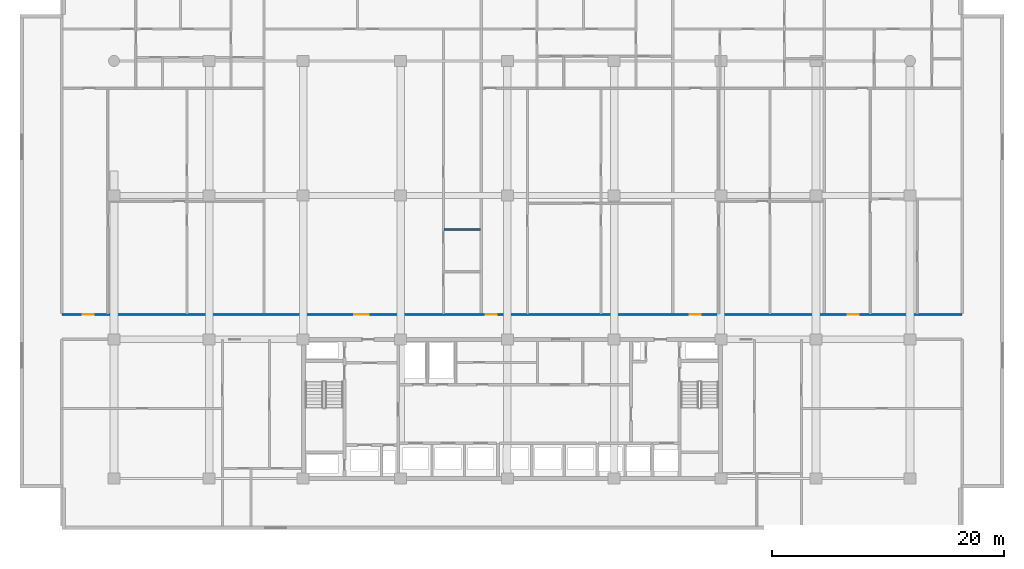
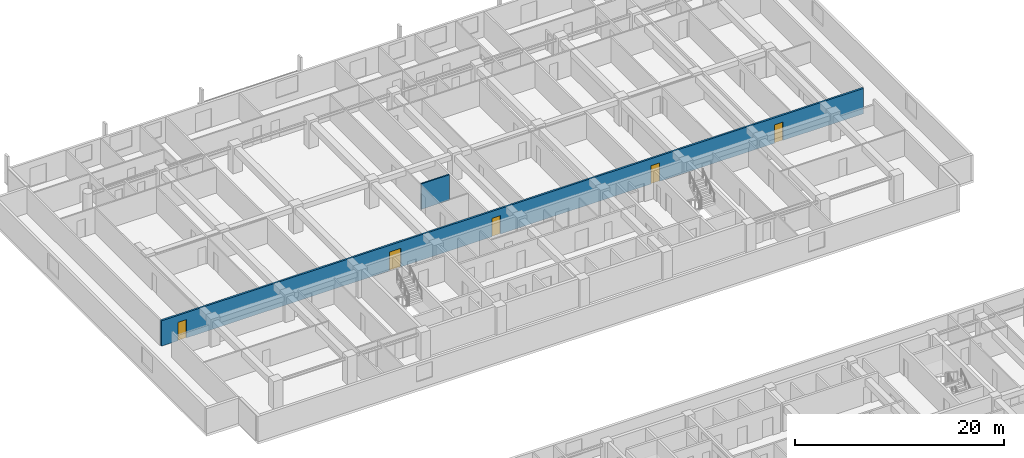
# One storey, part 13 of 23: 5 doors, 2 walls, 5 openings.
"""IFC4 building model written with IfcOpenShell, lengths in metres."""

from ifc_helpers import new_model, si_unit, direction, frame, frame_2d, origin, place, context, subcontext, project, spatial, rectangle, extrude, material, layer, layer_set, type_object, element, fill, save


model = new_model("IFC4")

# Units and contexts
model_context = context("Model", 3, precision=1e-05, world=origin(), true_north=direction((0.0, 1.0)))
body_context = subcontext(model_context, "Body", "Model", "MODEL_VIEW")
ifc_project = project(units=[si_unit("LENGTHUNIT", "METRE"), si_unit("AREAUNIT", "SQUARE_METRE"), si_unit("VOLUMEUNIT", "CUBIC_METRE"), si_unit("PLANEANGLEUNIT", "RADIAN"), si_unit("MASSUNIT", "GRAM", prefix="KILO")], contexts=[model_context])

# Site, building, storey
site_placement = place(None, origin())
site = spatial("IfcSite", under=ifc_project, at=site_placement, CompositionType="ELEMENT")
building_placement = place(site_placement, origin())
building = spatial("IfcBuilding", under=site, at=building_placement, Name="Korimba Cascade Residences", CompositionType="ELEMENT")
storey_placement = place(building_placement, frame((0.0, 0.0, 72.75)))
storey = spatial("IfcBuildingStorey", under=building, at=storey_placement, Name="L20", CompositionType="ELEMENT", Elevation=72.75)

# Wall, openings, doors
ifc_material_1 = material(Name="Precast concrete C40/50", Category="concrete")
ifc_layer_1 = layer(ifc_material_1, 0.199951171875)
ifc_layer_set_1 = layer_set([ifc_layer_1], Name="Precast concrete C40/50")
wall_type_1 = type_object("IfcWallType", Name="WAL-IT-200", PredefinedType="PARTITIONING", material=ifc_layer_set_1)
wall_1_placement = place(storey_placement, frame((55.300048828125, 69.35009765625, 0.0), z_axis=(0.0, 0.0, 1.0), x_axis=(1.0, 0.0, 0.0)))
wall_1 = element("IfcWall", 1, at=wall_1_placement, inside=storey, type_object=wall_type_1, Name="L20 Partition Wall WAL-L20-T1-CORN", PredefinedType="PARTITIONING", context=body_context, shape_type="SweptSolid", body=[
    extrude(rectangle(XDim=77.599853515625, YDim=0.199951171875, at=frame_2d((38.7998046875, 0.0))), origin(), (0.0, 0.0, 1.0), 2.969970703125),
])
opening_1_placement = place(wall_1_placement, frame((1.81005859375, 0.0, 0.0)))
opening_1 = element("IfcOpeningElement", 2, at=opening_1_placement, cuts=wall_1, Name="Opening D-UN1", PredefinedType="OPENING", context=body_context, shape_type="SweptSolid", body=[
    extrude(rectangle(XDim=0.949951171875, YDim=2.14990234375, at=frame_2d((0.47509765625, 1.074951171875))), frame((0.0, 0.10986328125, 0.0), z_axis=(0.0, -1.0, 0.0), x_axis=(1.0, 0.0, 0.0)), (0.0, 0.0, 1.0), 0.219970703125),
])
opening_2_placement = place(wall_1_placement, frame((25.222412109375, 0.0, 0.0)))
opening_2 = element("IfcOpeningElement", 3, at=opening_2_placement, cuts=wall_1, Name="Opening D-AM1", PredefinedType="OPENING", context=body_context, shape_type="SweptSolid", body=[
    extrude(rectangle(XDim=1.219970703125, YDim=2.179931640625, at=frame_2d((0.60986328125, 1.08984375))), frame((0.0, 0.10986328125, 0.0), z_axis=(0.0, -1.0, 0.0), x_axis=(1.0, 0.0, 0.0)), (0.0, 0.0, 1.0), 0.219970703125),
])
opening_3_placement = place(wall_1_placement, frame((36.531005859375, 0.0, 0.0)))
opening_3 = element("IfcOpeningElement", 4, at=opening_3_placement, cuts=wall_1, Name="Opening D-UN1", PredefinedType="OPENING", context=body_context, shape_type="SweptSolid", body=[
    extrude(rectangle(XDim=0.949951171875, YDim=2.14990234375, at=frame_2d((0.47509765625, 1.074951171875))), frame((0.0, 0.10986328125, 0.0), z_axis=(0.0, -1.0, 0.0), x_axis=(1.0, 0.0, 0.0)), (0.0, 0.0, 1.0), 0.219970703125),
])
opening_4_placement = place(wall_1_placement, frame((54.122802734375, 0.0, 0.0)))
opening_4 = element("IfcOpeningElement", 5, at=opening_4_placement, cuts=wall_1, Name="Opening D-UN1", PredefinedType="OPENING", context=body_context, shape_type="SweptSolid", body=[
    extrude(rectangle(XDim=0.949951171875, YDim=2.14990234375, at=frame_2d((0.47509765625, 1.074951171875))), frame((0.0, 0.10986328125, 0.0), z_axis=(0.0, -1.0, 0.0), x_axis=(1.0, 0.0, 0.0)), (0.0, 0.0, 1.0), 0.219970703125),
])
opening_5_placement = place(wall_1_placement, frame((67.742431640625, 0.0, 0.0)))
opening_5 = element("IfcOpeningElement", 6, at=opening_5_placement, cuts=wall_1, Name="Opening D-UN1", PredefinedType="OPENING", context=body_context, shape_type="SweptSolid", body=[
    extrude(rectangle(XDim=0.949951171875, YDim=2.14990234375, at=frame_2d((0.47509765625, 1.074951171875))), frame((0.0, 0.10986328125, 0.0), z_axis=(0.0, -1.0, 0.0), x_axis=(1.0, 0.0, 0.0)), (0.0, 0.0, 1.0), 0.219970703125),
])
ifc_material_2 = material(Name="Fire-Rated Glazed Timber Suite Door", Category="wood")
door_type_1 = type_object("IfcDoorType", Name="DR-FD60-1200", OperationType="NOTDEFINED", PredefinedType="DOOR", material=ifc_material_2)
door_1_placement = place(opening_2_placement, origin())
door_1 = element("IfcDoor", 7, at=door_1_placement, inside=storey, type_object=door_type_1, Name="L20-T1-U02 Transfer Reception Foyer Door", OperationType="SINGLE_SWING_RIGHT", OverallHeight=2.179931640625, OverallWidth=1.219970703125, PredefinedType="DOOR", context=body_context, shape_type="SweptSolid", body=[
    extrude(rectangle(XDim=1.219970703125, YDim=2.179931640625, at=frame_2d((0.60986328125, 1.08984375))), frame((0.0, 0.02490234375, 0.0), z_axis=(0.0, -1.0, 0.0), x_axis=(1.0, 0.0, 0.0)), (0.0, 0.0, 1.0), 0.050048828125),
])
fill(opening_2, door_1)
ifc_material_3 = material(Name="Fire-Rated Hardwood Apartment Entrance Door", Category="wood")
door_type_2 = type_object("IfcDoorType", Name="DR-FD60-950", OperationType="NOTDEFINED", PredefinedType="DOOR", material=ifc_material_3)
door_2_placement = place(opening_1_placement, origin())
door_2 = element("IfcDoor", 8, at=door_2_placement, inside=storey, type_object=door_type_2, Name="Unit L20-T1-U01 Entrance Door", OperationType="SINGLE_SWING_LEFT", OverallHeight=2.14990234375, OverallWidth=0.949951171875, PredefinedType="DOOR", context=body_context, shape_type="SweptSolid", body=[
    extrude(rectangle(XDim=0.949951171875, YDim=2.14990234375, at=frame_2d((0.47509765625, 1.074951171875))), frame((0.0, 0.02490234375, 0.0), z_axis=(0.0, -1.0, 0.0), x_axis=(1.0, 0.0, 0.0)), (0.0, 0.0, 1.0), 0.050048828125),
])
fill(opening_1, door_2)
door_3_placement = place(opening_3_placement, origin())
door_3 = element("IfcDoor", 9, at=door_3_placement, inside=storey, type_object=door_type_2, Name="Unit L20-T1-U03 Entrance Door", OperationType="SINGLE_SWING_LEFT", OverallHeight=2.14990234375, OverallWidth=0.949951171875, PredefinedType="DOOR", context=body_context, shape_type="SweptSolid", body=[
    extrude(rectangle(XDim=0.949951171875, YDim=2.14990234375, at=frame_2d((0.47509765625, 1.074951171875))), frame((0.0, 0.02490234375, 0.0), z_axis=(0.0, -1.0, 0.0), x_axis=(1.0, 0.0, 0.0)), (0.0, 0.0, 1.0), 0.050048828125),
])
fill(opening_3, door_3)
door_4_placement = place(opening_4_placement, origin())
door_4 = element("IfcDoor", 10, at=door_4_placement, inside=storey, type_object=door_type_2, Name="Unit L20-T1-U04 Entrance Door", OperationType="SINGLE_SWING_RIGHT", OverallHeight=2.14990234375, OverallWidth=0.949951171875, PredefinedType="DOOR", context=body_context, shape_type="SweptSolid", body=[
    extrude(rectangle(XDim=0.949951171875, YDim=2.14990234375, at=frame_2d((0.47509765625, 1.074951171875))), frame((0.0, 0.02490234375, 0.0), z_axis=(0.0, -1.0, 0.0), x_axis=(1.0, 0.0, 0.0)), (0.0, 0.0, 1.0), 0.050048828125),
])
fill(opening_4, door_4)
door_5_placement = place(opening_5_placement, origin())
door_5 = element("IfcDoor", 11, at=door_5_placement, inside=storey, type_object=door_type_2, Name="Unit L20-T1-U05 Entrance Door", OperationType="SINGLE_SWING_LEFT", OverallHeight=2.14990234375, OverallWidth=0.949951171875, PredefinedType="DOOR", context=body_context, shape_type="SweptSolid", body=[
    extrude(rectangle(XDim=0.949951171875, YDim=2.14990234375, at=frame_2d((0.47509765625, 1.074951171875))), frame((0.0, 0.02490234375, 0.0), z_axis=(0.0, -1.0, 0.0), x_axis=(1.0, 0.0, 0.0)), (0.0, 0.0, 1.0), 0.050048828125),
])
fill(opening_5, door_5)

# Wall
ifc_material_4 = material(Name="Insulated Acoustic Stud Partition", Category="gypsum")
ifc_layer_2 = layer(ifc_material_4, 0.14990234375)
ifc_layer_set_2 = layer_set([ifc_layer_2], Name="Insulated Acoustic Stud Partition")
wall_type_2 = type_object("IfcWallType", Name="WAL-PART-150", PredefinedType="PARTITIONING", material=ifc_layer_set_2)
wall_2_placement = place(storey_placement, frame((88.2509765625, 76.669921875, 0.0), z_axis=(0.0, 0.0, 1.0), x_axis=(1.0, 0.0, 0.0)))
element("IfcWall", 12, at=wall_2_placement, inside=storey, type_object=wall_type_2, Name="L20 Partition Wall WAL-L20-T1-U02-WCH2", PredefinedType="PARTITIONING", context=body_context, shape_type="SweptSolid", body=[
    extrude(rectangle(XDim=3.1298828125, YDim=0.14990234375, at=frame_2d((1.56494140625, 0.0))), origin(), (0.0, 0.0, 1.0), 2.969970703125),
])

save(model, "model.ifc")
